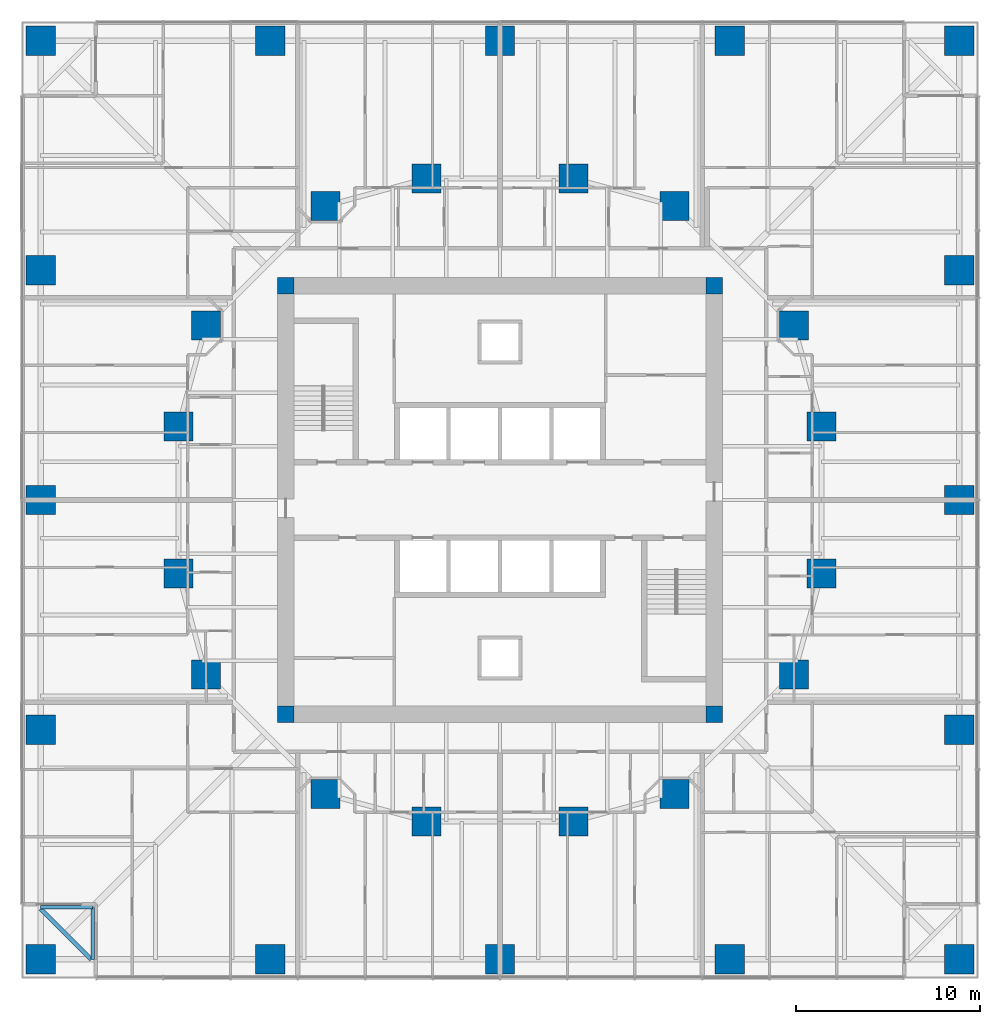
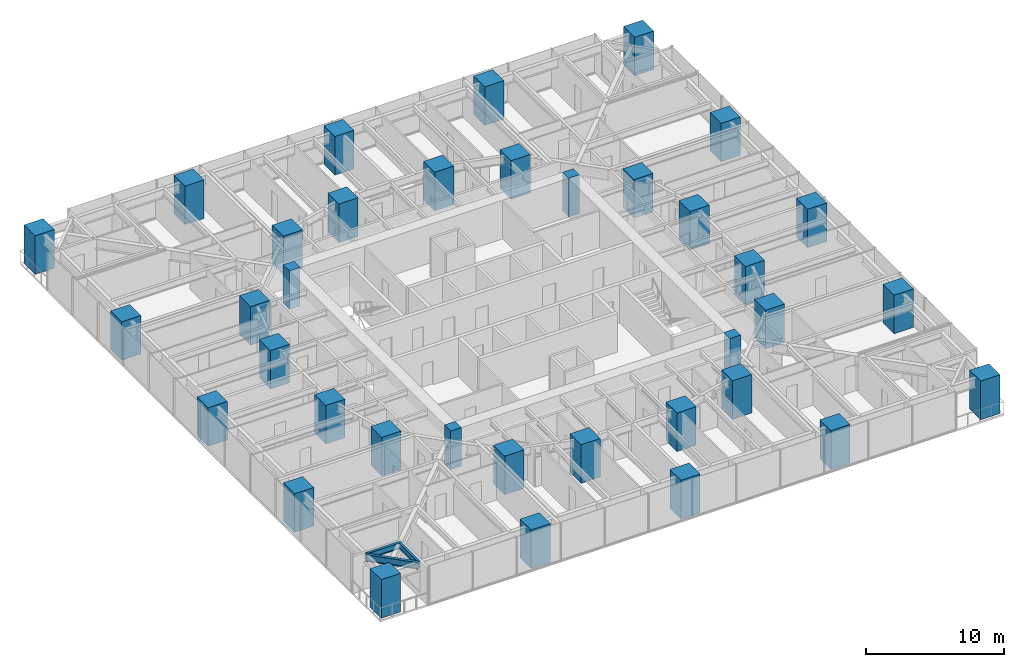
# One storey, part 1 of 17: 36 columns, 3 beams.
"""IFC4 building model written with IfcOpenShell, lengths in metres."""

import ifcopenshell
import ifcopenshell.guid

model = None  # the IFC model being written
_history = None  # IfcOwnerHistory: only IFC2X3 demands one
_inside = {}  # id of a spatial element -> (the spatial element, [elements in it])
_under = {}  # id of a project, library or spatial element -> (it, [spatial elements below it])
_declared = {}  # id of a project -> (the project, [libraries it declares])
_typed = {}  # id of a type object -> (the type object, [elements of that type])
_made_of = {}  # id of a material, layer set ... -> (it, [elements and type objects made of it])


def new_model(schema):
    """Start an empty IFC model of exactly this schema.

    Asked for "IFC4X3", IfcOpenShell would pick the latest addendum, in which some entities
    have other attributes; the version numbers below select the first issue.
    IFC2X3 requires an IfcOwnerHistory on every rooted entity: one is made here for all.
    """
    global model, _history
    if schema == "IFC4X3":
        model = ifcopenshell.file(schema_version=(4, 3, 0, 0))
    else:
        model = ifcopenshell.file(schema=schema)
    _inside.clear()
    _under.clear()
    _declared.clear()
    _typed.clear()
    _made_of.clear()
    _history = None
    if model.schema == "IFC2X3":
        org = make("IfcOrganization", Name="unknown")
        user = make(
            "IfcPersonAndOrganization",
            ThePerson=make("IfcPerson", FamilyName="unknown"),
            TheOrganization=org,
        )
        app = make(
            "IfcApplication",
            ApplicationDeveloper=org,
            Version="unknown",
            ApplicationFullName="unknown",
            ApplicationIdentifier="unknown",
        )
        _history = make(
            "IfcOwnerHistory",
            OwningUser=user,
            OwningApplication=app,
            ChangeAction="ADDED",
            CreationDate=0,
        )
    return model


def make(cls, **values):
    """One entity of the class cls with the attributes given. An attribute that is None is left unset."""
    return model.create_entity(
        cls, **{name: value for name, value in values.items() if value is not None}
    )


def rooted(cls, **values):
    """An entity with a GlobalId (a new one), such as an element, a storey or a relation."""
    return make(cls, GlobalId=ifcopenshell.guid.new(), OwnerHistory=_history, **values)


def si_unit(unit_type, name, prefix=None):
    """IfcSIUnit, for example si_unit("LENGTHUNIT", "METRE", prefix="MILLI")."""
    return make("IfcSIUnit", UnitType=unit_type, Prefix=prefix, Name=name)


def assignment(units):
    """IfcUnitAssignment: the units of a project."""
    return None if units is None else make("IfcUnitAssignment", Units=units)


def point(xyz):
    """IfcCartesianPoint."""
    return None if xyz is None else make("IfcCartesianPoint", Coordinates=xyz)


def direction(xyz):
    """IfcDirection."""
    return None if xyz is None else make("IfcDirection", DirectionRatios=xyz)


def frame(location, z_axis=None, x_axis=None):
    """IfcAxis2Placement3D, a coordinate frame: its origin and axes. An axis left out is left unset."""
    return make(
        "IfcAxis2Placement3D",
        Location=point(location),
        Axis=direction(z_axis),
        RefDirection=direction(x_axis),
    )


def frame_2d(location, x_axis=None):
    """IfcAxis2Placement2D, a coordinate frame in the plane: its origin and x axis."""
    return make(
        "IfcAxis2Placement2D", Location=point(location), RefDirection=direction(x_axis)
    )


def origin():
    """The frame at (0, 0, 0) with its axes left unset."""
    return frame((0.0, 0.0, 0.0))


def origin_2d():
    """The frame at (0, 0) in the plane with its x axis left unset."""
    return frame_2d((0.0, 0.0))


def place(relative_to, where):
    """IfcLocalPlacement: puts the frame where relative to a parent placement (None: the world)."""
    return make(
        "IfcLocalPlacement", PlacementRelTo=relative_to, RelativePlacement=where
    )


def context(
    kind, dimensions, precision=None, world=None, true_north=None, identifier=None
):
    """IfcGeometricRepresentationContext, for example the 3D "Model" context."""
    return make(
        "IfcGeometricRepresentationContext",
        ContextIdentifier=identifier,
        ContextType=kind,
        CoordinateSpaceDimension=dimensions,
        Precision=precision,
        WorldCoordinateSystem=world,
        TrueNorth=true_north,
    )


def subcontext(parent, identifier, kind, view, scale=None):
    """IfcGeometricRepresentationSubContext, for example "Body" below "Model"."""
    return make(
        "IfcGeometricRepresentationSubContext",
        ContextIdentifier=identifier,
        ContextType=kind,
        ParentContext=parent,
        TargetScale=scale,
        TargetView=view,
    )


def project(units=None, contexts=None):
    """IfcProject with its units and contexts."""
    return rooted(
        "IfcProject",
        Name="project",
        RepresentationContexts=contexts,
        UnitsInContext=assignment(units),
    )


def spatial(cls, under=None, at=None, **own):
    """A site, building, storey or space (cls), placed at a placement, below another one or the project."""
    s = rooted(cls, ObjectPlacement=at, **own)
    if under is not None:
        _under.setdefault(under.id(), (under, []))[1].append(s)
    return s


def profile(cls, at=None, kind="AREA", **sizes):
    """A parametric profile (cls). Its sizes go by their IFC names, for example OverallWidth=200.0."""
    return make(cls, ProfileType=kind, Position=at, **sizes)


def rectangle(**sizes):
    """IfcRectangleProfileDef."""
    return profile("IfcRectangleProfileDef", **sizes)


def i_section(**sizes):
    """IfcIShapeProfileDef."""
    return profile("IfcIShapeProfileDef", **sizes)


def extrude(swept, where, along, depth):
    """IfcExtrudedAreaSolid: the profile swept, set in the frame where, extruded along a direction by depth."""
    return make(
        "IfcExtrudedAreaSolid",
        SweptArea=swept,
        Position=where,
        ExtrudedDirection=direction(along),
        Depth=depth,
    )


def shape(context_of_items, identifier, shape_type, items):
    """IfcShapeRepresentation: the items that make up one representation, for example the "Body"."""
    return make(
        "IfcShapeRepresentation",
        ContextOfItems=context_of_items,
        RepresentationIdentifier=identifier,
        RepresentationType=shape_type,
        Items=items,
    )


def material(Name=None, Category=None):
    """IfcMaterial."""
    return make("IfcMaterial", Name=Name, Category=Category)


def material_profile(
    of_material, cross_section, Name=None, Category=None, Priority=None
):
    """IfcMaterialProfile: a cross section and its material."""
    return make(
        "IfcMaterialProfile",
        Name=Name,
        Material=of_material,
        Profile=cross_section,
        Priority=Priority,
        Category=Category,
    )


def profile_set(profiles, Name=None, composite=None):
    """IfcMaterialProfileSet."""
    return make(
        "IfcMaterialProfileSet",
        Name=Name,
        MaterialProfiles=profiles,
        CompositeProfile=composite,
    )


def made_of(thing, what):
    """Note that an element or type object is made of a material, layer set ...; save() writes the relation."""
    if what is not None:
        _made_of.setdefault(what.id(), (what, []))[1].append(thing)
    return thing


def type_object(cls, material=None, **own):
    """A type object (cls), such as IfcWallType, which elements share."""
    return made_of(rooted(cls, **own), material)


def element(
    cls,
    number,
    at=None,
    inside=None,
    cuts=None,
    type_object=None,
    material=None,
    context=None,
    identifier="Body",
    shape_type=None,
    held_by="IfcProductDefinitionShape",
    body=None,
    shapes=None,
    **own,
):
    """One element of the class cls, such as IfcWall. Its Tag is "e" and its number.

    at: its placement. inside: the storey or other place that contains it. cuts: it is an
    opening in that element (IfcRelVoidsElement). A single representation is given by context,
    identifier, shape_type and body (its items); several are given by shapes. held_by: the class
    of the entity that holds the representations. save() writes the other relations.
    """
    e = rooted(cls, Tag="e%d" % number, ObjectPlacement=at, **own)
    if body is not None:
        shapes = [shape(context, identifier, shape_type, body)]
    if shapes is not None:
        e.Representation = make(held_by, Representations=shapes)
    if inside is not None:
        _inside.setdefault(inside.id(), (inside, []))[1].append(e)
    if cuts is not None:
        rooted(
            "IfcRelVoidsElement", RelatingBuildingElement=cuts, RelatedOpeningElement=e
        )
    if type_object is not None:
        _typed.setdefault(type_object.id(), (type_object, []))[1].append(e)
    return made_of(e, material)


def aggregate(whole, parts):
    """IfcRelAggregates: a whole, such as a stair, and the parts it consists of."""
    return rooted("IfcRelAggregates", RelatingObject=whole, RelatedObjects=parts)


def save(model, path):
    """Write the relations noted so far, then the file.

    IfcRelAggregates (storeys below a building ...), IfcRelContainedInSpatialStructure (elements
    in a storey), IfcRelDefinesByType, IfcRelAssociatesMaterial and IfcRelDeclares: one each for
    every whole, place, type object, material and project.
    """
    for whole, parts in _under.values():
        aggregate(whole, parts)
    for where, things in _inside.values():
        rooted(
            "IfcRelContainedInSpatialStructure",
            RelatedElements=things,
            RelatingStructure=where,
        )
    for kind, things in _typed.values():
        rooted("IfcRelDefinesByType", RelatedObjects=things, RelatingType=kind)
    for what, things in _made_of.values():
        rooted("IfcRelAssociatesMaterial", RelatedObjects=things, RelatingMaterial=what)
    for by, libraries in _declared.values():
        rooted("IfcRelDeclares", RelatingContext=by, RelatedDefinitions=libraries)
    model.write(path)


model = new_model("IFC4")

# Units and contexts
model_context = context("Model", 3, precision=1e-05, world=origin(), true_north=direction((0.0, 1.0)))
body_context = subcontext(model_context, "Body", "Model", "MODEL_VIEW")
ifc_project = project(units=[si_unit("LENGTHUNIT", "METRE"), si_unit("AREAUNIT", "SQUARE_METRE"), si_unit("VOLUMEUNIT", "CUBIC_METRE"), si_unit("PLANEANGLEUNIT", "RADIAN"), si_unit("MASSUNIT", "GRAM", prefix="KILO")], contexts=[model_context])

# Site, building, storey
site_placement = place(None, origin())
site = spatial("IfcSite", under=ifc_project, at=site_placement, CompositionType="ELEMENT")
building_placement = place(site_placement, origin())
building = spatial("IfcBuilding", under=site, at=building_placement, Name="Torsade Residences", CompositionType="ELEMENT")
storey_placement = place(building_placement, frame((0.0, 0.0, 18.39990234375)))
storey = spatial("IfcBuildingStorey", under=building, at=storey_placement, Name="L04", CompositionType="ELEMENT", Elevation=18.39990234375)

# Columns
ifc_material_1 = material(Name="Concrete 80 MPa", Category="concrete")
ifc_material_profile_1 = material_profile(ifc_material_1, rectangle(XDim=0.89990234375, YDim=0.89990234375, at=origin_2d()), Name="RC 900x900")
ifc_profile_set_1 = profile_set([ifc_material_profile_1], Name="Concrete 80 MPa")
column_type_1 = type_object("IfcColumnType", Name="CORE CORNER COLUMN RC 900x900", PredefinedType="COLUMN", material=ifc_profile_set_1)
for number, where, z_axis, x_axis, name in (
    (1, (28.35009765625, 18.35009765625, 0.0), (0.0, 0.0, 1.0), (1.0, 0.0, 0.0), "Core corner column CC1 L04"),
    (2, (51.64990234375, 18.35009765625, 0.0), (0.0, 0.0, 1.0), (1.0, 0.0, 0.0), "Core corner column CC2 L04"),
    (3, (51.64990234375, 41.64990234375, 0.0), (0.0, 0.0, 1.0), (1.0, 0.0, 0.0), "Core corner column CC3 L04"),
    (4, (28.35009765625, 41.64990234375, 0.0), (0.0, 0.0, 1.0), (1.0, 0.0, 0.0), "Core corner column CC4 L04"),
):
    element("IfcColumn", number, at=place(storey_placement, frame(where, z_axis=z_axis, x_axis=x_axis)), inside=storey, type_object=column_type_1, Name=name, PredefinedType="COLUMN", context=body_context, shape_type="SweptSolid", body=[
        extrude(rectangle(XDim=0.89990234375, YDim=0.89990234375, at=origin_2d()), origin(), (0.0, 0.0, 1.0), 3.400146484375),
    ])
ifc_material_2 = material(Name="Concrete 80 MPa", Category="concrete")
ifc_material_profile_2 = material_profile(ifc_material_2, rectangle(XDim=1.60009765625, YDim=1.60009765625, at=origin_2d()), Name="RC 1600x1600")
ifc_profile_set_2 = profile_set([ifc_material_profile_2], Name="Concrete 80 MPa")
column_type_2 = type_object("IfcColumnType", Name="INNER RING COLUMN RC 1600x1600", PredefinedType="COLUMN", material=ifc_profile_set_2)
for number, where, z_axis, x_axis, name in (
    (5, (57.5, 26.0, 0.0), (0.0, 0.0, 1.0), (1.0, 0.0, 0.0), "Inner ring column IR01 L04"),
    (6, (57.5, 34.0, 0.0), (0.0, 0.0, 1.0), (1.0, 0.0, 0.0), "Inner ring column IR02 L04"),
    (7, (56.0, 39.5, 0.0), (0.0, 0.0, 1.0), (1.0, 0.0, 0.0), "Inner ring column IR03 L04"),
    (8, (49.5, 46.0, 0.0), (0.0, 0.0, 1.0), (1.0, 0.0, 0.0), "Inner ring column IR04 L04"),
    (9, (44.0, 47.5, 0.0), (0.0, 0.0, 1.0), (1.0, 0.0, 0.0), "Inner ring column IR05 L04"),
    (10, (36.0, 47.5, 0.0), (0.0, 0.0, 1.0), (1.0, 0.0, 0.0), "Inner ring column IR06 L04"),
    (11, (30.5, 46.0, 0.0), (0.0, 0.0, 1.0), (1.0, 0.0, 0.0), "Inner ring column IR07 L04"),
    (12, (24.0, 39.5, 0.0), (0.0, 0.0, 1.0), (1.0, 0.0, 0.0), "Inner ring column IR08 L04"),
    (13, (22.5, 34.0, 0.0), (0.0, 0.0, 1.0), (1.0, 0.0, 0.0), "Inner ring column IR09 L04"),
    (14, (22.5, 26.0, 0.0), (0.0, 0.0, 1.0), (1.0, 0.0, 0.0), "Inner ring column IR10 L04"),
    (15, (24.0, 20.5, 0.0), (0.0, 0.0, 1.0), (1.0, 0.0, 0.0), "Inner ring column IR11 L04"),
    (16, (30.5, 14.0, 0.0), (0.0, 0.0, 1.0), (1.0, 0.0, 0.0), "Inner ring column IR12 L04"),
    (17, (36.0, 12.5, 0.0), (0.0, 0.0, 1.0), (1.0, 0.0, 0.0), "Inner ring column IR13 L04"),
    (18, (44.0, 12.5, 0.0), (0.0, 0.0, 1.0), (1.0, 0.0, 0.0), "Inner ring column IR14 L04"),
    (19, (49.5, 14.0, 0.0), (0.0, 0.0, 1.0), (1.0, 0.0, 0.0), "Inner ring column IR15 L04"),
    (20, (56.0, 20.5, 0.0), (0.0, 0.0, 1.0), (1.0, 0.0, 0.0), "Inner ring column IR16 L04"),
):
    element("IfcColumn", number, at=place(storey_placement, frame(where, z_axis=z_axis, x_axis=x_axis)), inside=storey, type_object=column_type_2, Name=name, PredefinedType="COLUMN", context=body_context, shape_type="SweptSolid", body=[
        extrude(rectangle(XDim=1.60009765625, YDim=1.60009765625, at=origin_2d()), origin(), (0.0, 0.0, 1.0), 3.400146484375),
    ])
ifc_material_3 = material(Name="Concrete 80 MPa", Category="concrete")
ifc_material_profile_3 = material_profile(ifc_material_3, rectangle(XDim=1.60009765625, YDim=1.60009765625, at=origin_2d()), Name="RC 1600x1600")
ifc_profile_set_3 = profile_set([ifc_material_profile_3], Name="Concrete 80 MPa")
column_type_3 = type_object("IfcColumnType", Name="TOWER COLUMN RC 1600x1600", PredefinedType="COLUMN", material=ifc_profile_set_3)
for number, where, z_axis, x_axis, name in (
    (21, (15.0, 5.0, 0.0), (0.0, 0.0, 1.0), (1.0, 0.0, 0.0), "Column TC1-01 L04"),
    (22, (27.5, 5.0, 0.0), (0.0, 0.0, 1.0), (1.0, 0.0, 0.0), "Column TC1-02 L04"),
    (23, (40.0, 5.0, 0.0), (0.0, 0.0, 1.0), (1.0, 0.0, 0.0), "Column TC1-03 L04"),
    (24, (52.5, 5.0, 0.0), (0.0, 0.0, 1.0), (1.0, 0.0, 0.0), "Column TC1-04 L04"),
    (25, (65.0, 5.0, 0.0), (0.0, 0.0, 1.0), (1.0, 0.0, 0.0), "Column TC1-05 L04"),
    (26, (65.0, 17.5, 0.0), (0.0, 0.0, 1.0), (1.0, 0.0, 0.0), "Column TC1-06 L04"),
    (27, (65.0, 30.0, 0.0), (0.0, 0.0, 1.0), (1.0, 0.0, 0.0), "Column TC1-07 L04"),
    (28, (65.0, 42.5, 0.0), (0.0, 0.0, 1.0), (1.0, 0.0, 0.0), "Column TC1-08 L04"),
    (29, (65.0, 55.0, 0.0), (0.0, 0.0, 1.0), (1.0, 0.0, 0.0), "Column TC1-09 L04"),
    (30, (52.5, 55.0, 0.0), (0.0, 0.0, 1.0), (1.0, 0.0, 0.0), "Column TC1-10 L04"),
    (31, (40.0, 55.0, 0.0), (0.0, 0.0, 1.0), (1.0, 0.0, 0.0), "Column TC1-11 L04"),
    (32, (27.5, 55.0, 0.0), (0.0, 0.0, 1.0), (1.0, 0.0, 0.0), "Column TC1-12 L04"),
    (33, (15.0, 55.0, 0.0), (0.0, 0.0, 1.0), (1.0, 0.0, 0.0), "Column TC1-13 L04"),
    (34, (15.0, 42.5, 0.0), (0.0, 0.0, 1.0), (1.0, 0.0, 0.0), "Column TC1-14 L04"),
    (35, (15.0, 30.0, 0.0), (0.0, 0.0, 1.0), (1.0, 0.0, 0.0), "Column TC1-15 L04"),
    (36, (15.0, 17.5, 0.0), (0.0, 0.0, 1.0), (1.0, 0.0, 0.0), "Column TC1-16 L04"),
):
    element("IfcColumn", number, at=place(storey_placement, frame(where, z_axis=z_axis, x_axis=x_axis)), inside=storey, type_object=column_type_3, Name=name, PredefinedType="COLUMN", context=body_context, shape_type="SweptSolid", body=[
        extrude(rectangle(XDim=1.60009765625, YDim=1.60009765625, at=origin_2d()), origin(), (0.0, 0.0, 1.0), 3.400146484375),
    ])

# Beams
ifc_material_4 = material(Name="Steel grade 300", Category="steel")
ifc_material_profile_4 = material_profile(ifc_material_4, i_section(OverallWidth=0.22802734375, OverallDepth=0.60205078125, WebThickness=0.010498046875, FlangeThickness=0.014892578125, FilletRadius=0.013916015625, at=origin_2d()), Name="610UB101")
ifc_profile_set_4 = profile_set([ifc_material_profile_4], Name="Steel grade 300")
beam_type_1 = type_object("IfcBeamType", Name="CORNER TRIMMER 610UB101", PredefinedType="BEAM", material=ifc_profile_set_4)
beam_placement = place(storey_placement, frame((17.75, 5.0, 2.94921875), z_axis=(-0.707106781187, 0.707106781187, 0.0), x_axis=(-0.707106781187, -0.707106781187, 0.0)))
element("IfcBeam", 37, at=beam_placement, inside=storey, type_object=beam_type_1, Name="Corner trimmer 01 L05", PredefinedType="BEAM", context=body_context, shape_type="SweptSolid", body=[
    extrude(i_section(OverallWidth=0.22802734375, OverallDepth=0.60205078125, WebThickness=0.010498046875, FlangeThickness=0.014892578125, FilletRadius=0.013916015625, at=origin_2d()), origin(), (0.0, 0.0, 1.0), 3.88916015625),
])
ifc_material_5 = material(Name="Steel grade 300", Category="steel")
ifc_material_profile_5 = material_profile(ifc_material_5, i_section(OverallWidth=0.208984375, OverallDepth=0.528076171875, WebThickness=0.009521484375, FlangeThickness=0.01318359375, FilletRadius=0.013916015625, at=origin_2d()), Name="530UB82.0")
ifc_profile_set_5 = profile_set([ifc_material_profile_5], Name="Steel grade 300")
beam_type_2 = type_object("IfcBeamType", Name="SECONDARY BEAM 530UB82.0", PredefinedType="JOIST", material=ifc_profile_set_5)
for number, where, z_axis, x_axis, name in (
    (38, (17.833251953125, 5.0, 2.986083984375), (0.0, 1.0, 0.0), (-1.0, 0.0, 0.0), "Floor beam FS01 L05"),
    (39, (15.0, 7.833251953125, 2.986083984375), (1.0, 0.0, 0.0), (0.0, 1.0, 0.0), "Floor beam FW12 L05"),
):
    element("IfcBeam", number, at=place(storey_placement, frame(where, z_axis=z_axis, x_axis=x_axis)), inside=storey, type_object=beam_type_2, Name=name, PredefinedType="JOIST", context=body_context, shape_type="SweptSolid", body=[
        extrude(i_section(OverallWidth=0.208984375, OverallDepth=0.528076171875, WebThickness=0.009521484375, FlangeThickness=0.01318359375, FilletRadius=0.013916015625, at=origin_2d()), origin(), (0.0, 0.0, 1.0), 2.833251953125),
    ])

save(model, "model.ifc")
